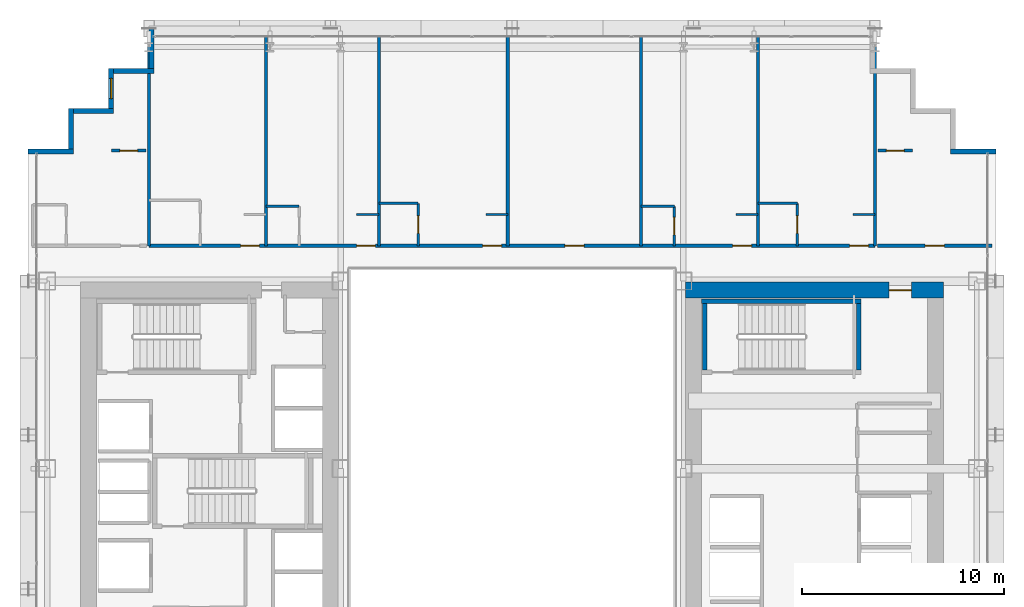
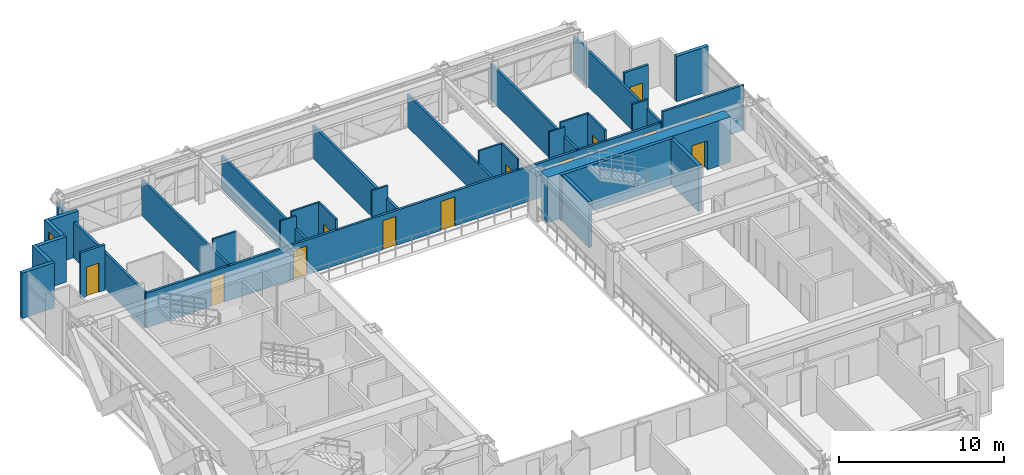
# One storey, part 33 of 38: 33 walls, 13 doors, 1 window, 14 openings.
"""IFC4 building model written with IfcOpenShell, lengths in metres."""

from ifc_helpers import new_model, si_unit, direction, frame, frame_2d, origin, place, context, subcontext, project, spatial, rectangle, extrude, source, transform, mapped, material, layer, layer_set, type_object, element, fill, save


model = new_model("IFC4")

# Units and contexts
model_context = context("Model", 3, precision=1e-05, world=origin(), true_north=direction((0.0, 1.0)))
body_context = subcontext(model_context, "Body", "Model", "MODEL_VIEW")
ifc_project = project(units=[si_unit("LENGTHUNIT", "METRE"), si_unit("AREAUNIT", "SQUARE_METRE"), si_unit("VOLUMEUNIT", "CUBIC_METRE"), si_unit("PLANEANGLEUNIT", "RADIAN"), si_unit("MASSUNIT", "GRAM", prefix="KILO")], contexts=[model_context])

# Site, building, storey
site_placement = place(None, origin())
site = spatial("IfcSite", under=ifc_project, at=site_placement, CompositionType="ELEMENT")
building_placement = place(site_placement, origin())
building = spatial("IfcBuilding", under=site, at=building_placement, Name="Ocotamira Hotel", CompositionType="ELEMENT")
storey_placement = place(building_placement, frame((0.0, 0.0, 45.60009765625)))
storey = spatial("IfcBuildingStorey", under=building, at=storey_placement, Name="L10", CompositionType="ELEMENT", Elevation=45.60009765625)

# Wall, opening, door
ifc_material_1 = material(Name="Concrete C60/75", Category="concrete")
ifc_layer_1 = layer(ifc_material_1, 0.800048828125)
ifc_layer_set_1 = layer_set([ifc_layer_1], Name="Concrete C60/75")
wall_type_1 = type_object("IfcWallType", Name="WL-CORE-800", PredefinedType="SHEAR", material=ifc_layer_set_1)
wall_1_placement = place(storey_placement, frame((40.60009765625, 37.0, 0.0), z_axis=(0.0, 0.0, 1.0), x_axis=(1.0, 0.0, 0.0)))
wall_1 = element("IfcWall", 1, at=wall_1_placement, inside=storey, type_object=wall_type_1, Name="L10 Shear Core Wall ECORE-N", PredefinedType="SHEAR", context=body_context, shape_type="SweptSolid", body=[
    extrude(rectangle(XDim=12.7998046875, YDim=0.800048828125, at=frame_2d((6.39990234375, 0.0))), origin(), (0.0, 0.0, 1.0), 3.349853515625),
])
opening_1_placement = place(wall_1_placement, frame((10.10009765625, 0.0, 0.0)))
opening_1 = element("IfcOpeningElement", 2, at=opening_1_placement, cuts=wall_1, Name="Opening D-FR1", PredefinedType="OPENING", context=body_context, shape_type="SweptSolid", body=[
    extrude(rectangle(XDim=1.10009765625, YDim=2.14990234375, at=frame_2d((0.550048828125, 1.074951171875))), frame((0.0, 0.41015625, 0.0), z_axis=(0.0, -1.0, 0.0), x_axis=(1.0, 0.0, 0.0)), (0.0, 0.0, 1.0), 0.820068359375),
])
ifc_material_2 = material(Name="Fire-rated acoustic timber-veneer door", Category="wood")
door_type_1 = type_object("IfcDoorType", Name="DR-FIRE-1100", OperationType="NOTDEFINED", PredefinedType="DOOR", material=ifc_material_2)
shared_shape_1 = source(origin(), body_context, "Body", "SweptSolid", [
    extrude(rectangle(XDim=1.10009765625, YDim=2.14990234375, at=frame_2d((0.550048828125, 1.074951171875))), frame((0.0, 0.02490234375, 0.0), z_axis=(0.0, -1.0, 0.0), x_axis=(1.0, 0.0, 0.0)), (0.0, 0.0, 1.0), 0.050048828125),
])
door_1_placement = place(opening_1_placement, origin())
door_1 = element("IfcDoor", 3, at=door_1_placement, inside=storey, type_object=door_type_1, Name="L10 Door ID-L10-ELOB-N-D [ID-L10-ELOB-N-D]", OperationType="SINGLE_SWING_LEFT", OverallHeight=2.14990234375, OverallWidth=1.10009765625, PredefinedType="DOOR", context=body_context, shape_type="MappedRepresentation", body=[
    mapped(shared_shape_1, transform((0.0, 0.0, 0.0), scale=1.0)),
])
fill(opening_1, door_1)

# Walls
ifc_material_3 = material(Name="Precast concrete C45/55", Category="concrete")
ifc_layer_2 = layer(ifc_material_3, 0.25)
ifc_layer_set_2 = layer_set([ifc_layer_2], Name="Precast concrete C45/55")
wall_type_2 = type_object("IfcWallType", Name="WL-EXT-SER-250", PredefinedType="SOLIDWALL", material=ifc_layer_set_2)
wall_2_placement = place(storey_placement, frame((56.0, 43.875, 0.0), z_axis=(0.0, 0.0, 1.0), x_axis=(-1.0, 0.0, 0.0)))
element("IfcWall", 4, at=wall_2_placement, inside=storey, type_object=wall_type_2, Name="L10 Serrated Corner Wall 07", PredefinedType="SOLIDWALL", context=body_context, shape_type="SweptSolid", body=[
    extrude(rectangle(XDim=2.25, YDim=0.25, at=frame_2d((1.125, 0.0))), origin(), (0.0, 0.0, 1.0), 3.349853515625),
])
wall_3_placement = place(storey_placement, frame((14.125, 50.0, 0.0), z_axis=(0.0, 0.0, 1.0), x_axis=(0.0, -1.0, 0.0)))
element("IfcWall", 5, at=wall_3_placement, inside=storey, type_object=wall_type_2, Name="L10 Serrated Corner Wall 13", PredefinedType="SOLIDWALL", context=body_context, shape_type="SweptSolid", body=[
    extrude(rectangle(XDim=2.0, YDim=0.25, at=frame_2d((1.0, 0.0))), origin(), (0.0, 0.0, 1.0), 2.656982421875),
])
wall_4_placement = place(storey_placement, frame((14.25, 47.875, 0.0), z_axis=(0.0, 0.0, 1.0), x_axis=(-1.0, 0.0, 0.0)))
element("IfcWall", 6, at=wall_4_placement, inside=storey, type_object=wall_type_2, Name="L10 Serrated Corner Wall 14", PredefinedType="SOLIDWALL", context=body_context, shape_type="SweptSolid", body=[
    extrude(rectangle(XDim=2.0, YDim=0.25, at=frame_2d((1.0, 0.0))), origin(), (0.0, 0.0, 1.0), 3.349853515625),
])

# Wall, opening, window
wall_5_placement = place(storey_placement, frame((12.125, 48.0, 0.0), z_axis=(0.0, 0.0, 1.0), x_axis=(0.0, -1.0, 0.0)))
wall_5 = element("IfcWall", 7, at=wall_5_placement, inside=storey, type_object=wall_type_2, Name="L10 Serrated Corner Wall 15", PredefinedType="SOLIDWALL", context=body_context, shape_type="SweptSolid", body=[
    extrude(rectangle(XDim=2.0, YDim=0.25, at=frame_2d((1.0, 0.0))), origin(), (0.0, 0.0, 1.0), 3.349853515625),
])
opening_2_placement = place(wall_5_placement, frame((0.5, 0.0, 0.85009765625)))
opening_2 = element("IfcOpeningElement", 8, at=opening_2_placement, cuts=wall_5, Name="Opening WN-2", PredefinedType="OPENING", context=body_context, shape_type="SweptSolid", body=[
    extrude(rectangle(XDim=1.0, YDim=1.89990234375, at=frame_2d((0.5, 0.949951171875))), frame((0.0, 0.135009765625, 0.0), z_axis=(0.0, -1.0, 0.0), x_axis=(1.0, 0.0, 0.0)), (0.0, 0.0, 1.0), 0.27001953125),
])
ifc_material_4 = material(Name="Double-silver low-E solar glass", Category="glass")
window_type = type_object("IfcWindowType", Name="WIN-SER-1100", PartitioningType="SINGLE_PANEL", PredefinedType="WINDOW", material=ifc_material_4)
shared_shape_2 = source(origin(), body_context, "Body", "SweptSolid", [
    extrude(rectangle(XDim=1.0, YDim=1.89990234375, at=frame_2d((0.5, 0.949951171875))), frame((0.0, 0.030029296875, 0.0), z_axis=(0.0, -1.0, 0.0), x_axis=(1.0, 0.0, 0.0)), (0.0, 0.0, 1.0), 0.06005859375),
])
window_placement = place(opening_2_placement, origin())
window = element("IfcWindow", 9, at=window_placement, inside=storey, type_object=window_type, Name="L10 Serrated Corner Window 15", OverallHeight=1.89990234375, OverallWidth=1.0, PartitioningType="SINGLE_PANEL", PredefinedType="WINDOW", context=body_context, shape_type="MappedRepresentation", body=[
    mapped(shared_shape_2, transform((0.0, 0.0, 0.0), scale=1.0)),
])
fill(opening_2, window)

# Walls
for number, where, z_axis, x_axis, name in (
    (10, (12.25, 45.875, 0.0), (0.0, 0.0, 1.0), (-1.0, 0.0, 0.0), "L10 Serrated Corner Wall 16"),
    (11, (10.125, 46.0, 0.0), (0.0, 0.0, 1.0), (0.0, -1.0, 0.0), "L10 Serrated Corner Wall 17"),
):
    element("IfcWall", number, at=place(storey_placement, frame(where, z_axis=z_axis, x_axis=x_axis)), inside=storey, type_object=wall_type_2, Name=name, PredefinedType="SOLIDWALL", context=body_context, shape_type="SweptSolid", body=[
        extrude(rectangle(XDim=2.0, YDim=0.25, at=frame_2d((1.0, 0.0))), origin(), (0.0, 0.0, 1.0), 3.349853515625),
    ])
wall_6_placement = place(storey_placement, frame((10.25, 43.875, 0.0), z_axis=(0.0, 0.0, 1.0), x_axis=(-1.0, 0.0, 0.0)))
element("IfcWall", 12, at=wall_6_placement, inside=storey, type_object=wall_type_2, Name="L10 Serrated Corner Wall 18", PredefinedType="SOLIDWALL", context=body_context, shape_type="SweptSolid", body=[
    extrude(rectangle(XDim=2.25, YDim=0.25, at=frame_2d((1.125, 0.0))), origin(), (0.0, 0.0, 1.0), 3.349853515625),
])

# Wall, opening, door
ifc_material_5 = material(Name="Acoustic double-layer fire gypsum board partition", Category="gypsum")
ifc_layer_3 = layer(ifc_material_5, 0.159912109375)
ifc_layer_set_3 = layer_set([ifc_layer_3], Name="Acoustic double-layer fire gypsum board partition")
wall_type_3 = type_object("IfcWallType", Name="WL-FIRE-160", PredefinedType="PARTITIONING", material=ifc_layer_set_3)
wall_7_placement = place(storey_placement, frame((50.1201171875, 39.199951171875, 0.0), z_axis=(0.0, 0.0, 1.0), x_axis=(1.0, 0.0, 0.0)))
wall_7 = element("IfcWall", 13, at=wall_7_placement, inside=storey, type_object=wall_type_3, Name="L10 Interior Wall PW-L10-Z1B-CNE-CW", PredefinedType="PARTITIONING", context=body_context, shape_type="SweptSolid", body=[
    extrude(rectangle(XDim=5.679931640625, YDim=0.159912109375, at=frame_2d((2.83984375, 0.0))), origin(), (0.0, 0.0, 1.0), 3.349853515625),
])
opening_3_placement = place(wall_7_placement, frame((2.360107421875, 0.0, 0.0)))
opening_3 = element("IfcOpeningElement", 14, at=opening_3_placement, cuts=wall_7, Name="Opening D-SV4", PredefinedType="OPENING", context=body_context, shape_type="SweptSolid", body=[
    extrude(rectangle(XDim=0.9599609375, YDim=2.14990234375, at=frame_2d((0.47998046875, 1.074951171875))), frame((0.0, 0.08984375, 0.0), z_axis=(0.0, -1.0, 0.0), x_axis=(1.0, 0.0, 0.0)), (0.0, 0.0, 1.0), 0.179931640625),
])
ifc_material_6 = material(Name="Fire-rated accessible walnut salon door", Category="wood")
door_type_2 = type_object("IfcDoorType", Name="DR-SERV-960", OperationType="NOTDEFINED", PredefinedType="DOOR", material=ifc_material_6)
shared_shape_3 = source(origin(), body_context, "Body", "SweptSolid", [
    extrude(rectangle(XDim=0.9599609375, YDim=2.14990234375, at=frame_2d((0.47998046875, 1.074951171875))), frame((0.0, 0.02490234375, 0.0), z_axis=(0.0, -1.0, 0.0), x_axis=(1.0, 0.0, 0.0)), (0.0, 0.0, 1.0), 0.050048828125),
])
door_2_placement = place(opening_3_placement, origin())
door_2 = element("IfcDoor", 15, at=door_2_placement, inside=storey, type_object=door_type_2, Name="L10 Door ID-L10-Z1B-CNE-CD [ID-L10-Z1B-CNE-CD]", OperationType="SINGLE_SWING_LEFT", OverallHeight=2.14990234375, OverallWidth=0.9599609375, PredefinedType="DOOR", context=body_context, shape_type="MappedRepresentation", body=[
    mapped(shared_shape_3, transform((0.0, 0.0, 0.0), scale=1.0)),
])
fill(opening_3, door_2)

wall_8_placement = place(storey_placement, frame((12.14990234375, 43.919921875, 0.0), z_axis=(0.0, 0.0, 1.0), x_axis=(1.0, 0.0, 0.0)))
wall_8 = element("IfcWall", 16, at=wall_8_placement, inside=storey, type_object=wall_type_3, Name="L10 Interior Wall PW-L10-Z1B-CNW2-CW", PredefinedType="PARTITIONING", context=body_context, shape_type="SweptSolid", body=[
    extrude(rectangle(XDim=1.7001953125, YDim=0.159912109375, at=frame_2d((0.85009765625, 0.0))), origin(), (0.0, 0.0, 1.0), 3.349853515625),
])
opening_4_placement = place(wall_8_placement, frame((0.409912109375, 0.0, 0.0)))
opening_4 = element("IfcOpeningElement", 17, at=opening_4_placement, cuts=wall_8, Name="Opening D-SV2", PredefinedType="OPENING", context=body_context, shape_type="SweptSolid", body=[
    extrude(rectangle(XDim=0.8798828125, YDim=2.14990234375, at=frame_2d((0.43994140625, 1.074951171875))), frame((0.0, 0.08984375, 0.0), z_axis=(0.0, -1.0, 0.0), x_axis=(1.0, 0.0, 0.0)), (0.0, 0.0, 1.0), 0.179931640625),
])
ifc_material_7 = material(Name="Fire-rated painted steel service door", Category="steel")
door_type_3 = type_object("IfcDoorType", Name="DR-SERV-880", OperationType="NOTDEFINED", PredefinedType="DOOR", material=ifc_material_7)
shared_shape_4 = source(origin(), body_context, "Body", "SweptSolid", [
    extrude(rectangle(XDim=0.8798828125, YDim=2.14990234375, at=frame_2d((0.43994140625, 1.074951171875))), frame((0.0, 0.02490234375, 0.0), z_axis=(0.0, -1.0, 0.0), x_axis=(1.0, 0.0, 0.0)), (0.0, 0.0, 1.0), 0.050048828125),
])
door_3_placement = place(opening_4_placement, origin())
door_3 = element("IfcDoor", 18, at=door_3_placement, inside=storey, type_object=door_type_3, Name="L10 Door ID-L10-Z1B-CNW2-CD [ID-L10-Z1B-CNW2-CD]", OperationType="SINGLE_SWING_LEFT", OverallHeight=2.14990234375, OverallWidth=0.8798828125, PredefinedType="DOOR", context=body_context, shape_type="MappedRepresentation", body=[
    mapped(shared_shape_4, transform((0.0, 0.0, 0.0), scale=1.0)),
])
fill(opening_4, door_3)

wall_9_placement = place(storey_placement, frame((50.14990234375, 43.919921875, 0.0), z_axis=(0.0, 0.0, 1.0), x_axis=(1.0, 0.0, 0.0)))
wall_9 = element("IfcWall", 19, at=wall_9_placement, inside=storey, type_object=wall_type_3, Name="L10 Interior Wall PW-L10-Z1B-CNE2-CW", PredefinedType="PARTITIONING", context=body_context, shape_type="SweptSolid", body=[
    extrude(rectangle(XDim=1.7001953125, YDim=0.159912109375, at=frame_2d((0.85009765625, 0.0))), origin(), (0.0, 0.0, 1.0), 3.349853515625),
])
opening_5_placement = place(wall_9_placement, frame((0.409912109375, 0.0, 0.0)))
opening_5 = element("IfcOpeningElement", 20, at=opening_5_placement, cuts=wall_9, Name="Opening D-SV2", PredefinedType="OPENING", context=body_context, shape_type="SweptSolid", body=[
    extrude(rectangle(XDim=0.8798828125, YDim=2.14990234375, at=frame_2d((0.43994140625, 1.074951171875))), frame((0.0, 0.08984375, 0.0), z_axis=(0.0, -1.0, 0.0), x_axis=(1.0, 0.0, 0.0)), (0.0, 0.0, 1.0), 0.179931640625),
])
door_4_placement = place(opening_5_placement, origin())
door_4 = element("IfcDoor", 21, at=door_4_placement, inside=storey, type_object=door_type_3, Name="L10 Door ID-L10-Z1B-CNE2-CD [ID-L10-Z1B-CNE2-CD]", OperationType="SINGLE_SWING_LEFT", OverallHeight=2.14990234375, OverallWidth=0.8798828125, PredefinedType="DOOR", context=body_context, shape_type="MappedRepresentation", body=[
    mapped(shared_shape_4, transform((0.0, 0.0, 0.0), scale=1.0)),
])
fill(opening_5, door_4)

# Wall, openings, doors
wall_10_placement = place(storey_placement, frame((14.0, 39.199951171875, 0.0), z_axis=(0.0, 0.0, 1.0), x_axis=(1.0, 0.0, 0.0)))
wall_10 = element("IfcWall", 22, at=wall_10_placement, inside=storey, type_object=wall_type_3, Name="L10 Interior Wall PW-L10-Z1BN-CORRW", PredefinedType="PARTITIONING", context=body_context, shape_type="SweptSolid", body=[
    extrude(rectangle(XDim=36.0, YDim=0.159912109375, at=frame_2d((18.0, 0.0))), origin(), (0.0, 0.0, 1.0), 2.57080078125),
])
opening_6_placement = place(wall_10_placement, frame((4.5400390625, 0.0, 0.0)))
opening_6 = element("IfcOpeningElement", 23, at=opening_6_placement, cuts=wall_10, Name="Opening D-GR1", PredefinedType="OPENING", context=body_context, shape_type="SweptSolid", body=[
    extrude(rectangle(XDim=0.93994140625, YDim=2.14990234375, at=frame_2d((0.469970703125, 1.074951171875))), frame((0.0, 0.08984375, 0.0), z_axis=(0.0, -1.0, 0.0), x_axis=(1.0, 0.0, 0.0)), (0.0, 0.0, 1.0), 0.179931640625),
])
opening_7_placement = place(wall_10_placement, frame((10.2900390625, 0.0, 0.0)))
opening_7 = element("IfcOpeningElement", 24, at=opening_7_placement, cuts=wall_10, Name="Opening D-GR1", PredefinedType="OPENING", context=body_context, shape_type="SweptSolid", body=[
    extrude(rectangle(XDim=0.93994140625, YDim=2.14990234375, at=frame_2d((0.469970703125, 1.074951171875))), frame((0.0, 0.08984375, 0.0), z_axis=(0.0, -1.0, 0.0), x_axis=(1.0, 0.0, 0.0)), (0.0, 0.0, 1.0), 0.179931640625),
])
opening_8_placement = place(wall_10_placement, frame((16.5400390625, 0.0, 0.0)))
opening_8 = element("IfcOpeningElement", 25, at=opening_8_placement, cuts=wall_10, Name="Opening D-GR1", PredefinedType="OPENING", context=body_context, shape_type="SweptSolid", body=[
    extrude(rectangle(XDim=0.93994140625, YDim=2.14990234375, at=frame_2d((0.469970703125, 1.074951171875))), frame((0.0, 0.08984375, 0.0), z_axis=(0.0, -1.0, 0.0), x_axis=(1.0, 0.0, 0.0)), (0.0, 0.0, 1.0), 0.179931640625),
])
opening_9_placement = place(wall_10_placement, frame((20.6201171875, 0.0, 0.0)))
opening_9 = element("IfcOpeningElement", 26, at=opening_9_placement, cuts=wall_10, Name="Opening D-SV4", PredefinedType="OPENING", context=body_context, shape_type="SweptSolid", body=[
    extrude(rectangle(XDim=0.9599609375, YDim=2.14990234375, at=frame_2d((0.47998046875, 1.074951171875))), frame((0.0, 0.08984375, 0.0), z_axis=(0.0, -1.0, 0.0), x_axis=(1.0, 0.0, 0.0)), (0.0, 0.0, 1.0), 0.179931640625),
])
opening_10_placement = place(wall_10_placement, frame((28.93994140625, 0.0, 0.0)))
opening_10 = element("IfcOpeningElement", 27, at=opening_10_placement, cuts=wall_10, Name="Opening D-GR1", PredefinedType="OPENING", context=body_context, shape_type="SweptSolid", body=[
    extrude(rectangle(XDim=0.93994140625, YDim=2.14990234375, at=frame_2d((0.469970703125, 1.074951171875))), frame((0.0, 0.08984375, 0.0), z_axis=(0.0, -1.0, 0.0), x_axis=(1.0, 0.0, 0.0)), (0.0, 0.0, 1.0), 0.179931640625),
])
opening_11_placement = place(wall_10_placement, frame((34.739990234375, 0.0, 0.0)))
opening_11 = element("IfcOpeningElement", 28, at=opening_11_placement, cuts=wall_10, Name="Opening D-GR1", PredefinedType="OPENING", context=body_context, shape_type="SweptSolid", body=[
    extrude(rectangle(XDim=0.93994140625, YDim=2.14990234375, at=frame_2d((0.469970703125, 1.074951171875))), frame((0.0, 0.08984375, 0.0), z_axis=(0.0, -1.0, 0.0), x_axis=(1.0, 0.0, 0.0)), (0.0, 0.0, 1.0), 0.179931640625),
])
door_5_placement = place(opening_9_placement, origin())
door_5 = element("IfcDoor", 29, at=door_5_placement, inside=storey, type_object=door_type_2, Name="L10 Door ID-L10-Z1BN-AMD4 [ID-L10-Z1BN-AMD4]", OperationType="SINGLE_SWING_RIGHT", OverallHeight=2.14990234375, OverallWidth=0.9599609375, PredefinedType="DOOR", context=body_context, shape_type="MappedRepresentation", body=[
    mapped(shared_shape_3, transform((0.0, 0.0, 0.0), scale=1.0)),
])
fill(opening_9, door_5)
ifc_material_8 = material(Name="Solid-core walnut suite entrance fire door", Category="wood")
door_type_4 = type_object("IfcDoorType", Name="DR-GUEST-940", OperationType="NOTDEFINED", PredefinedType="DOOR", material=ifc_material_8)
shared_shape_5 = source(origin(), body_context, "Body", "SweptSolid", [
    extrude(rectangle(XDim=0.93994140625, YDim=2.14990234375, at=frame_2d((0.469970703125, 1.074951171875))), frame((0.0, 0.02490234375, 0.0), z_axis=(0.0, -1.0, 0.0), x_axis=(1.0, 0.0, 0.0)), (0.0, 0.0, 1.0), 0.050048828125),
])
door_6_placement = place(opening_6_placement, origin())
door_6 = element("IfcDoor", 30, at=door_6_placement, inside=storey, type_object=door_type_4, Name="L10 Door ID-L10-Z1BN-RMD1 [ID-L10-Z1BN-RMD1]", OperationType="SINGLE_SWING_LEFT", OverallHeight=2.14990234375, OverallWidth=0.93994140625, PredefinedType="DOOR", context=body_context, shape_type="MappedRepresentation", body=[
    mapped(shared_shape_5, transform((0.0, 0.0, 0.0), scale=1.0)),
])
fill(opening_6, door_6)
door_7_placement = place(opening_7_placement, origin())
door_7 = element("IfcDoor", 31, at=door_7_placement, inside=storey, type_object=door_type_4, Name="L10 Door ID-L10-Z1BN-RMD2 [ID-L10-Z1BN-RMD2]", OperationType="SINGLE_SWING_RIGHT", OverallHeight=2.14990234375, OverallWidth=0.93994140625, PredefinedType="DOOR", context=body_context, shape_type="MappedRepresentation", body=[
    mapped(shared_shape_5, transform((0.0, 0.0, 0.0), scale=1.0)),
])
fill(opening_7, door_7)
door_8_placement = place(opening_8_placement, origin())
door_8 = element("IfcDoor", 32, at=door_8_placement, inside=storey, type_object=door_type_4, Name="L10 Door ID-L10-Z1BN-RMD3 [ID-L10-Z1BN-RMD3]", OperationType="SINGLE_SWING_LEFT", OverallHeight=2.14990234375, OverallWidth=0.93994140625, PredefinedType="DOOR", context=body_context, shape_type="MappedRepresentation", body=[
    mapped(shared_shape_5, transform((0.0, 0.0, 0.0), scale=1.0)),
])
fill(opening_8, door_8)
door_9_placement = place(opening_10_placement, origin())
door_9 = element("IfcDoor", 33, at=door_9_placement, inside=storey, type_object=door_type_4, Name="L10 Door ID-L10-Z1BN-RMD5 [ID-L10-Z1BN-RMD5]", OperationType="SINGLE_SWING_LEFT", OverallHeight=2.14990234375, OverallWidth=0.93994140625, PredefinedType="DOOR", context=body_context, shape_type="MappedRepresentation", body=[
    mapped(shared_shape_5, transform((0.0, 0.0, 0.0), scale=1.0)),
])
fill(opening_10, door_9)
door_10_placement = place(opening_11_placement, origin())
door_10 = element("IfcDoor", 34, at=door_10_placement, inside=storey, type_object=door_type_4, Name="L10 Door ID-L10-Z1BN-RMD6 [ID-L10-Z1BN-RMD6]", OperationType="SINGLE_SWING_RIGHT", OverallHeight=2.14990234375, OverallWidth=0.93994140625, PredefinedType="DOOR", context=body_context, shape_type="MappedRepresentation", body=[
    mapped(shared_shape_5, transform((0.0, 0.0, 0.0), scale=1.0)),
])
fill(opening_11, door_10)

# Walls
ifc_material_9 = material(Name="Moisture-resistant en-suite tile and gypsum partition", Category="gypsum")
ifc_layer_4 = layer(ifc_material_9, 0.1201171875)
ifc_layer_set_4 = layer_set([ifc_layer_4], Name="Moisture-resistant en-suite tile and gypsum partition")
wall_type_4 = type_object("IfcWallType", Name="WL-PART-120", PredefinedType="PARTITIONING", material=ifc_layer_set_4)
wall_11_placement = place(storey_placement, frame((19.800048828125, 41.14990234375, 0.0), z_axis=(0.0, 0.0, 1.0), x_axis=(1.0, 0.0, 0.0)))
element("IfcWall", 35, at=wall_11_placement, inside=storey, type_object=wall_type_4, Name="L10 Interior Wall PW-L10-Z1BN-BAN2", PredefinedType="PARTITIONING", context=body_context, shape_type="SweptSolid", body=[
    extrude(rectangle(XDim=1.64990234375, YDim=0.1201171875, at=frame_2d((0.824951171875, 0.0))), origin(), (0.0, 0.0, 1.0), 3.349853515625),
])
wall_12_placement = place(storey_placement, frame((24.300048828125, 40.75, 0.0), z_axis=(0.0, 0.0, 1.0), x_axis=(1.0, 0.0, 0.0)))
element("IfcWall", 36, at=wall_12_placement, inside=storey, type_object=wall_type_4, Name="L10 Interior Wall PW-L10-Z1BN-DRN2", PredefinedType="PARTITIONING", context=body_context, shape_type="SweptSolid", body=[
    extrude(rectangle(XDim=1.099853515625, YDim=0.1201171875, at=frame_2d((0.5498046875, 0.0))), origin(), (0.0, 0.0, 1.0), 3.349853515625),
])

# Wall, opening, door
wall_13_placement = place(storey_placement, frame((27.35009765625, 39.199951171875, 0.0), z_axis=(0.0, 0.0, 1.0), x_axis=(0.0, 1.0, 0.0)))
wall_13 = element("IfcWall", 37, at=wall_13_placement, inside=storey, type_object=wall_type_4, Name="L10 Interior Wall PW-L10-Z1BN-BAE3", PredefinedType="PARTITIONING", context=body_context, shape_type="SweptSolid", body=[
    extrude(rectangle(XDim=2.10009765625, YDim=0.1201171875, at=frame_2d((1.050048828125, 0.0))), origin(), (0.0, 0.0, 1.0), 3.349853515625),
])
opening_12_placement = place(wall_13_placement, frame((0.6201171875, 0.0, 0.0)))
opening_12 = element("IfcOpeningElement", 38, at=opening_12_placement, cuts=wall_13, Name="Opening D-BA1", PredefinedType="OPENING", context=body_context, shape_type="SweptSolid", body=[
    extrude(rectangle(XDim=0.860107421875, YDim=2.10009765625, at=frame_2d((0.43017578125, 1.050048828125))), frame((0.0, 0.070068359375, 0.0), z_axis=(0.0, -1.0, 0.0), x_axis=(1.0, 0.0, 0.0)), (0.0, 0.0, 1.0), 0.14013671875),
])
ifc_material_10 = material(Name="Moisture-sealed en-suite timber door", Category="wood")
door_type_5 = type_object("IfcDoorType", Name="DR-BATH-860", OperationType="NOTDEFINED", PredefinedType="DOOR", material=ifc_material_10)
shared_shape_6 = source(origin(), body_context, "Body", "SweptSolid", [
    extrude(rectangle(XDim=0.860107421875, YDim=2.10009765625, at=frame_2d((0.43017578125, 1.050048828125))), frame((0.0, 0.02490234375, 0.0), z_axis=(0.0, -1.0, 0.0), x_axis=(1.0, 0.0, 0.0)), (0.0, 0.0, 1.0), 0.050048828125),
])
door_11_placement = place(opening_12_placement, origin())
door_11 = element("IfcDoor", 39, at=door_11_placement, inside=storey, type_object=door_type_5, Name="L10 Door ID-L10-Z1BN-BAD3 [ID-L10-Z1BN-BAD3]", OperationType="SINGLE_SWING_RIGHT", OverallHeight=2.10009765625, OverallWidth=0.860107421875, PredefinedType="DOOR", context=body_context, shape_type="MappedRepresentation", body=[
    mapped(shared_shape_6, transform((0.0, 0.0, 0.0), scale=1.0)),
])
fill(opening_12, door_11)

# Walls
wall_14_placement = place(storey_placement, frame((25.39990234375, 41.300048828125, 0.0), z_axis=(0.0, 0.0, 1.0), x_axis=(1.0, 0.0, 0.0)))
element("IfcWall", 40, at=wall_14_placement, inside=storey, type_object=wall_type_4, Name="L10 Interior Wall PW-L10-Z1BN-BAN3", PredefinedType="PARTITIONING", context=body_context, shape_type="SweptSolid", body=[
    extrude(rectangle(XDim=1.9501953125, YDim=0.1201171875, at=frame_2d((0.97509765625, 0.0))), origin(), (0.0, 0.0, 1.0), 3.349853515625),
])
wall_15_placement = place(storey_placement, frame((30.699951171875, 40.75, 0.0), z_axis=(0.0, 0.0, 1.0), x_axis=(1.0, 0.0, 0.0)))
element("IfcWall", 41, at=wall_15_placement, inside=storey, type_object=wall_type_4, Name="L10 Interior Wall PW-L10-Z1BN-DRN3", PredefinedType="PARTITIONING", context=body_context, shape_type="SweptSolid", body=[
    extrude(rectangle(XDim=1.10009765625, YDim=0.1201171875, at=frame_2d((0.550048828125, 0.0))), origin(), (0.0, 0.0, 1.0), 3.349853515625),
])

# Wall, opening, door
wall_16_placement = place(storey_placement, frame((40.050048828125, 39.199951171875, 0.0), z_axis=(0.0, 0.0, 1.0), x_axis=(0.0, 1.0, 0.0)))
wall_16 = element("IfcWall", 42, at=wall_16_placement, inside=storey, type_object=wall_type_4, Name="L10 Interior Wall PW-L10-Z1BN-BAE5", PredefinedType="PARTITIONING", context=body_context, shape_type="SweptSolid", body=[
    extrude(rectangle(XDim=1.949951171875, YDim=0.1201171875, at=frame_2d((0.97509765625, 0.0))), origin(), (0.0, 0.0, 1.0), 3.349853515625),
])
opening_13_placement = place(wall_16_placement, frame((0.544921875, 0.0, 0.0)))
opening_13 = element("IfcOpeningElement", 43, at=opening_13_placement, cuts=wall_16, Name="Opening D-BA1", PredefinedType="OPENING", context=body_context, shape_type="SweptSolid", body=[
    extrude(rectangle(XDim=0.860107421875, YDim=2.10009765625, at=frame_2d((0.43017578125, 1.050048828125))), frame((0.0, 0.070068359375, 0.0), z_axis=(0.0, -1.0, 0.0), x_axis=(1.0, 0.0, 0.0)), (0.0, 0.0, 1.0), 0.14013671875),
])
door_12_placement = place(opening_13_placement, origin())
door_12 = element("IfcDoor", 44, at=door_12_placement, inside=storey, type_object=door_type_5, Name="L10 Door ID-L10-Z1BN-BAD5 [ID-L10-Z1BN-BAD5]", OperationType="SINGLE_SWING_RIGHT", OverallHeight=2.10009765625, OverallWidth=0.860107421875, PredefinedType="DOOR", context=body_context, shape_type="MappedRepresentation", body=[
    mapped(shared_shape_6, transform((0.0, 0.0, 0.0), scale=1.0)),
])
fill(opening_13, door_12)

# Walls
wall_17_placement = place(storey_placement, frame((38.39990234375, 41.14990234375, 0.0), z_axis=(0.0, 0.0, 1.0), x_axis=(1.0, 0.0, 0.0)))
element("IfcWall", 45, at=wall_17_placement, inside=storey, type_object=wall_type_4, Name="L10 Interior Wall PW-L10-Z1BN-BAN5", PredefinedType="PARTITIONING", context=body_context, shape_type="SweptSolid", body=[
    extrude(rectangle(XDim=1.650146484375, YDim=0.1201171875, at=frame_2d((0.8251953125, 0.0))), origin(), (0.0, 0.0, 1.0), 3.349853515625),
])
wall_18_placement = place(storey_placement, frame((43.10009765625, 40.75, 0.0), z_axis=(0.0, 0.0, 1.0), x_axis=(1.0, 0.0, 0.0)))
element("IfcWall", 46, at=wall_18_placement, inside=storey, type_object=wall_type_4, Name="L10 Interior Wall PW-L10-Z1BN-DRN5", PredefinedType="PARTITIONING", context=body_context, shape_type="SweptSolid", body=[
    extrude(rectangle(XDim=1.099853515625, YDim=0.1201171875, at=frame_2d((0.5498046875, 0.0))), origin(), (0.0, 0.0, 1.0), 3.349853515625),
])

# Wall, opening, door
wall_19_placement = place(storey_placement, frame((46.14990234375, 39.199951171875, 0.0), z_axis=(0.0, 0.0, 1.0), x_axis=(0.0, 1.0, 0.0)))
wall_19 = element("IfcWall", 47, at=wall_19_placement, inside=storey, type_object=wall_type_4, Name="L10 Interior Wall PW-L10-Z1BN-BAE6", PredefinedType="PARTITIONING", context=body_context, shape_type="SweptSolid", body=[
    extrude(rectangle(XDim=2.10009765625, YDim=0.1201171875, at=frame_2d((1.050048828125, 0.0))), origin(), (0.0, 0.0, 1.0), 3.349853515625),
])
opening_14_placement = place(wall_19_placement, frame((0.6201171875, 0.0, 0.0)))
opening_14 = element("IfcOpeningElement", 48, at=opening_14_placement, cuts=wall_19, Name="Opening D-BA1", PredefinedType="OPENING", context=body_context, shape_type="SweptSolid", body=[
    extrude(rectangle(XDim=0.860107421875, YDim=2.10009765625, at=frame_2d((0.43017578125, 1.050048828125))), frame((0.0, 0.070068359375, 0.0), z_axis=(0.0, -1.0, 0.0), x_axis=(1.0, 0.0, 0.0)), (0.0, 0.0, 1.0), 0.14013671875),
])
door_13_placement = place(opening_14_placement, origin())
door_13 = element("IfcDoor", 49, at=door_13_placement, inside=storey, type_object=door_type_5, Name="L10 Door ID-L10-Z1BN-BAD6 [ID-L10-Z1BN-BAD6]", OperationType="SINGLE_SWING_LEFT", OverallHeight=2.10009765625, OverallWidth=0.860107421875, PredefinedType="DOOR", context=body_context, shape_type="MappedRepresentation", body=[
    mapped(shared_shape_6, transform((0.0, 0.0, 0.0), scale=1.0)),
])
fill(opening_14, door_13)

# Walls
wall_20_placement = place(storey_placement, frame((44.199951171875, 41.300048828125, 0.0), z_axis=(0.0, 0.0, 1.0), x_axis=(1.0, 0.0, 0.0)))
element("IfcWall", 50, at=wall_20_placement, inside=storey, type_object=wall_type_4, Name="L10 Interior Wall PW-L10-Z1BN-BAN6", PredefinedType="PARTITIONING", context=body_context, shape_type="SweptSolid", body=[
    extrude(rectangle(XDim=1.949951171875, YDim=0.1201171875, at=frame_2d((0.97509765625, 0.0))), origin(), (0.0, 0.0, 1.0), 3.349853515625),
])
wall_21_placement = place(storey_placement, frame((48.89990234375, 40.75, 0.0), z_axis=(0.0, 0.0, 1.0), x_axis=(1.0, 0.0, 0.0)))
element("IfcWall", 51, at=wall_21_placement, inside=storey, type_object=wall_type_4, Name="L10 Interior Wall PW-L10-Z1BN-DRN6", PredefinedType="PARTITIONING", context=body_context, shape_type="SweptSolid", body=[
    extrude(rectangle(XDim=1.10009765625, YDim=0.1201171875, at=frame_2d((0.550048828125, 0.0))), origin(), (0.0, 0.0, 1.0), 3.349853515625),
])
ifc_material_11 = material(Name="Acoustic double-stud hospitality gypsum partition", Category="gypsum")
ifc_layer_5 = layer(ifc_material_11, 0.159912109375)
ifc_layer_set_5 = layer_set([ifc_layer_5], Name="Acoustic double-stud hospitality gypsum partition")
wall_type_5 = type_object("IfcWallType", Name="WL-PART-160", PredefinedType="PARTITIONING", material=ifc_layer_set_5)
for number, where, z_axis, x_axis, name in (
    (52, (14.0, 39.199951171875, 0.0), (0.0, 0.0, 1.0), (0.0, 1.0, 0.0), "L10 Interior Wall PW-L10-Z1BN-PW0"),
    (53, (50.0, 39.199951171875, 0.0), (0.0, 0.0, 1.0), (0.0, 1.0, 0.0), "L10 Interior Wall PW-L10-Z1BN-PWEND"),
    (54, (19.800048828125, 39.199951171875, 0.0), (0.0, 0.0, 1.0), (0.0, 1.0, 0.0), "L10 Interior Wall PW-L10-Z1BN-PW1"),
):
    element("IfcWall", number, at=place(storey_placement, frame(where, z_axis=z_axis, x_axis=x_axis)), inside=storey, type_object=wall_type_5, Name=name, PredefinedType="PARTITIONING", context=body_context, shape_type="SweptSolid", body=[
        extrude(rectangle(XDim=10.43994140625, YDim=0.159912109375, at=frame_2d((5.219970703125, 0.0))), origin(), (0.0, 0.0, 1.0), 2.656982421875),
    ])
for number, where, z_axis, x_axis, name in (
    (55, (25.39990234375, 39.199951171875, 0.0), (0.0, 0.0, 1.0), (0.0, 1.0, 0.0), "L10 Interior Wall PW-L10-Z1BN-PW2"),
    (56, (38.39990234375, 39.199951171875, 0.0), (0.0, 0.0, 1.0), (0.0, 1.0, 0.0), "L10 Interior Wall PW-L10-Z1BN-PW4"),
):
    element("IfcWall", number, at=place(storey_placement, frame(where, z_axis=z_axis, x_axis=x_axis)), inside=storey, type_object=wall_type_5, Name=name, PredefinedType="PARTITIONING", context=body_context, shape_type="SweptSolid", body=[
        extrude(rectangle(XDim=10.43994140625, YDim=0.159912109375, at=frame_2d((5.219970703125, 0.0))), origin(), (0.0, 0.0, 1.0), 2.4228515625),
    ])
wall_22_placement = place(storey_placement, frame((44.199951171875, 39.199951171875, 0.0), z_axis=(0.0, 0.0, 1.0), x_axis=(0.0, 1.0, 0.0)))
element("IfcWall", 57, at=wall_22_placement, inside=storey, type_object=wall_type_5, Name="L10 Interior Wall PW-L10-Z1BN-PW5", PredefinedType="PARTITIONING", context=body_context, shape_type="SweptSolid", body=[
    extrude(rectangle(XDim=10.43994140625, YDim=0.159912109375, at=frame_2d((5.219970703125, 0.0))), origin(), (0.0, 0.0, 1.0), 2.656982421875),
])
ifc_material_12 = material(Name="Double-stud suite party gypsum partition", Category="gypsum")
ifc_layer_6 = layer(ifc_material_12, 0.175048828125)
ifc_layer_set_6 = layer_set([ifc_layer_6], Name="Double-stud suite party gypsum partition")
wall_type_6 = type_object("IfcWallType", Name="WL-PART-175", PredefinedType="PARTITIONING", material=ifc_layer_set_6)
wall_23_placement = place(storey_placement, frame((31.800048828125, 39.199951171875, 0.0), z_axis=(0.0, 0.0, 1.0), x_axis=(0.0, 1.0, 0.0)))
element("IfcWall", 58, at=wall_23_placement, inside=storey, type_object=wall_type_6, Name="L10 Interior Wall PW-L10-Z1BN-PW3", PredefinedType="PARTITIONING", context=body_context, shape_type="SweptSolid", body=[
    extrude(rectangle(XDim=10.43994140625, YDim=0.175048828125, at=frame_2d((5.219970703125, 0.0))), origin(), (0.0, 0.0, 1.0), 2.4228515625),
])
ifc_material_13 = material(Name="Concrete C50/60", Category="concrete")
ifc_layer_7 = layer(ifc_material_13, 0.219970703125)
ifc_layer_set_7 = layer_set([ifc_layer_7], Name="Concrete C50/60")
wall_type_7 = type_object("IfcWallType", Name="WL-STAIR-220", PredefinedType="SHEAR", material=ifc_layer_set_7)
wall_24_placement = place(storey_placement, frame((41.39990234375, 36.43994140625, 0.0), z_axis=(0.0, 0.0, 1.0), x_axis=(1.0, 0.0, 0.0)))
element("IfcWall", 59, at=wall_24_placement, inside=storey, type_object=wall_type_7, Name="L10 Stair Shaft Structural Wall ST-4-N", PredefinedType="SHEAR", context=body_context, shape_type="SweptSolid", body=[
    extrude(rectangle(XDim=7.91015625, YDim=0.219970703125, at=frame_2d((3.955078125, 0.0))), origin(), (0.0, 0.0, 1.0), 3.39990234375),
])
for number, where, z_axis, x_axis, name in (
    (60, (41.56005859375, 33.050048828125, 0.0), (0.0, 0.0, 1.0), (0.0, 1.0, 0.0), "L10 Stair Shaft Structural Wall ST-4-W"),
    (61, (49.199951171875, 33.050048828125, 0.0), (0.0, 0.0, 1.0), (0.0, 1.0, 0.0), "L10 Stair Shaft Structural Wall ST-4-E"),
):
    element("IfcWall", number, at=place(storey_placement, frame(where, z_axis=z_axis, x_axis=x_axis)), inside=storey, type_object=wall_type_7, Name=name, PredefinedType="SHEAR", context=body_context, shape_type="SweptSolid", body=[
        extrude(rectangle(XDim=3.280029296875, YDim=0.219970703125, at=frame_2d((1.64013671875, 0.0))), origin(), (0.0, 0.0, 1.0), 3.39990234375),
    ])

save(model, "model.ifc")
